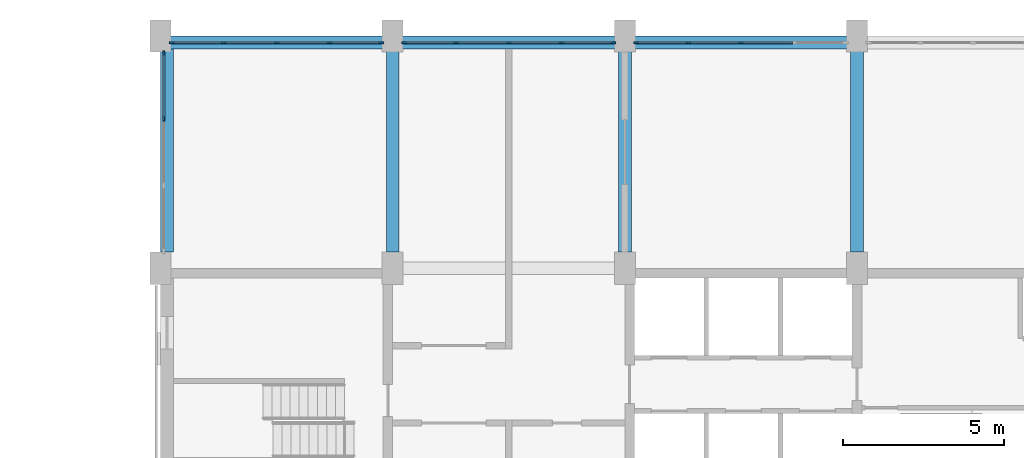
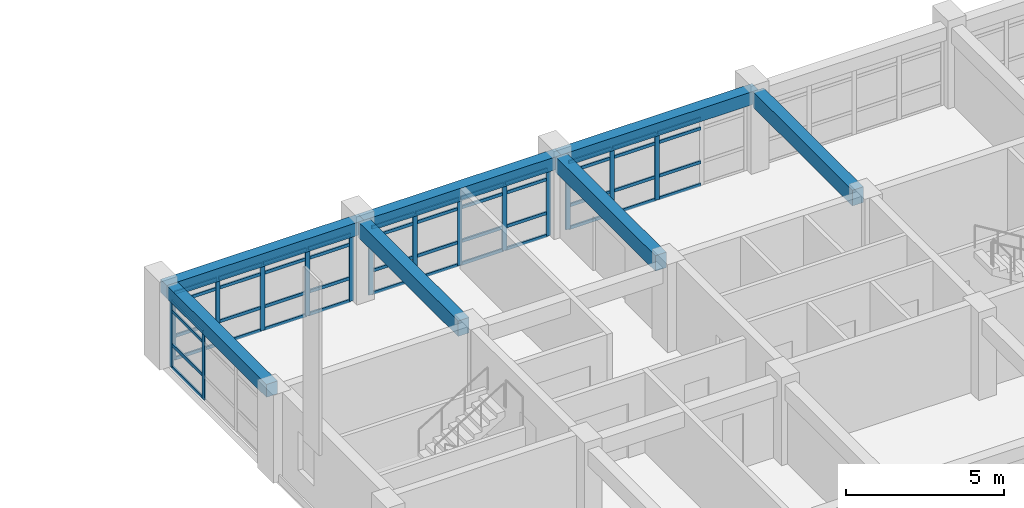
# One storey, part 12 of 31: 63 members, 7 beams, 4 elements without a shape of their own.
"""IFC4 building model written with IfcOpenShell, lengths in metres."""

from ifc_helpers import new_model, si_unit, direction, frame, origin, origin_2d, place, context, subcontext, project, spatial, rectangle, extrude, material, material_profile, profile_set, type_object, element, aggregate, save


model = new_model("IFC4")

# Units and contexts
model_context = context("Model", 3, precision=1e-05, world=origin(), true_north=direction((0.0, 1.0)))
body_context = subcontext(model_context, "Body", "Model", "MODEL_VIEW")
ifc_project = project(units=[si_unit("LENGTHUNIT", "METRE"), si_unit("AREAUNIT", "SQUARE_METRE"), si_unit("VOLUMEUNIT", "CUBIC_METRE"), si_unit("PLANEANGLEUNIT", "RADIAN"), si_unit("MASSUNIT", "GRAM", prefix="KILO")], contexts=[model_context])

# Site, building, storey
site_placement = place(None, origin())
site = spatial("IfcSite", under=ifc_project, at=site_placement, CompositionType="ELEMENT")
building_placement = place(site_placement, origin())
building = spatial("IfcBuilding", under=site, at=building_placement, Name="Vermilion Court Aquatics Centre", CompositionType="ELEMENT")
storey_placement = place(building_placement, frame((0.0, 0.0, 16.5)))
storey = spatial("IfcBuildingStorey", under=building, at=storey_placement, Name="L03", CompositionType="ELEMENT", Elevation=16.5)

# Curtain wall, members
ifc_material_1 = material(Name="Aluminium 6063-T5", Category="aluminium")
curtain_wall_type = type_object("IfcCurtainWallType", Name="North block glazed bay curtain wall 1800 module", PredefinedType="NOTDEFINED", material=ifc_material_1)
curtain_wall_1_placement = place(storey_placement, origin())
curtain_wall_1 = element("IfcCurtainWall", 1, at=curtain_wall_1_placement, inside=storey, type_object=curtain_wall_type, Name="North glazed bay 1 L03", PredefinedType="NOTDEFINED")
ifc_material_2 = material(Name="Aluminium 6063-T5", Category="aluminium")
ifc_material_profile_1 = material_profile(ifc_material_2, rectangle(XDim=0.06005859375, YDim=0.159912109375, at=origin_2d()), Name="AL 60x160")
ifc_profile_set_1 = profile_set([ifc_material_profile_1], Name="Aluminium 6063-T5")
member_type_1 = type_object("IfcMemberType", Name="North block curtain wall mullion 60x160", PredefinedType="MULLION", material=ifc_profile_set_1)
member_1_placement = place(storey_placement, frame((144.35498046875, 115.0, 0.0), z_axis=(0.0, 0.0, 1.0), x_axis=(0.0, 1.0, 0.0)))
member_1 = element("IfcMember", 2, at=member_1_placement, type_object=member_type_1, Name="UCW1 mullion 1", PredefinedType="MULLION", context=body_context, shape_type="SweptSolid", body=[
    extrude(rectangle(XDim=0.06005859375, YDim=0.159912109375, at=origin_2d()), origin(), (0.0, 0.0, 1.0), 2.60009765625),
])
member_2_placement = place(storey_placement, frame((145.96240234375, 115.0, 0.0), z_axis=(0.0, 0.0, 1.0), x_axis=(0.0, 1.0, 0.0)))
member_2 = element("IfcMember", 3, at=member_2_placement, type_object=member_type_1, Name="UCW1 mullion 2", PredefinedType="MULLION", context=body_context, shape_type="SweptSolid", body=[
    extrude(rectangle(XDim=0.06005859375, YDim=0.159912109375, at=origin_2d()), origin(), (0.0, 0.0, 1.0), 2.60009765625),
])
member_3_placement = place(storey_placement, frame((147.60009765625, 115.0, 0.0), z_axis=(0.0, 0.0, 1.0), x_axis=(0.0, 1.0, 0.0)))
member_3 = element("IfcMember", 4, at=member_3_placement, type_object=member_type_1, Name="UCW1 mullion 3", PredefinedType="MULLION", context=body_context, shape_type="SweptSolid", body=[
    extrude(rectangle(XDim=0.06005859375, YDim=0.159912109375, at=origin_2d()), origin(), (0.0, 0.0, 1.0), 2.60009765625),
])
member_4_placement = place(storey_placement, frame((149.237548828125, 115.0, 0.0), z_axis=(0.0, 0.0, 1.0), x_axis=(0.0, 1.0, 0.0)))
member_4 = element("IfcMember", 5, at=member_4_placement, type_object=member_type_1, Name="UCW1 mullion 4", PredefinedType="MULLION", context=body_context, shape_type="SweptSolid", body=[
    extrude(rectangle(XDim=0.06005859375, YDim=0.159912109375, at=origin_2d()), origin(), (0.0, 0.0, 1.0), 2.60009765625),
])
member_5_placement = place(storey_placement, frame((150.844970703125, 115.0, 0.0), z_axis=(0.0, 0.0, 1.0), x_axis=(0.0, 1.0, 0.0)))
member_5 = element("IfcMember", 6, at=member_5_placement, type_object=member_type_1, Name="UCW1 mullion 5", PredefinedType="MULLION", context=body_context, shape_type="SweptSolid", body=[
    extrude(rectangle(XDim=0.06005859375, YDim=0.159912109375, at=origin_2d()), origin(), (0.0, 0.0, 1.0), 2.60009765625),
])

curtain_wall_2_placement = place(storey_placement, origin())
curtain_wall_2 = element("IfcCurtainWall", 7, at=curtain_wall_2_placement, inside=storey, type_object=curtain_wall_type, Name="North glazed bay 2 L03", PredefinedType="NOTDEFINED")
member_6_placement = place(storey_placement, frame((151.554931640625, 115.0, 0.0), z_axis=(0.0, 0.0, 1.0), x_axis=(0.0, 1.0, 0.0)))
member_6 = element("IfcMember", 8, at=member_6_placement, type_object=member_type_1, Name="UCW1 mullion 1", PredefinedType="MULLION", context=body_context, shape_type="SweptSolid", body=[
    extrude(rectangle(XDim=0.06005859375, YDim=0.159912109375, at=origin_2d()), origin(), (0.0, 0.0, 1.0), 2.60009765625),
])
member_7_placement = place(storey_placement, frame((153.16259765625, 115.0, 0.0), z_axis=(0.0, 0.0, 1.0), x_axis=(0.0, 1.0, 0.0)))
member_7 = element("IfcMember", 9, at=member_7_placement, type_object=member_type_1, Name="UCW1 mullion 2", PredefinedType="MULLION", context=body_context, shape_type="SweptSolid", body=[
    extrude(rectangle(XDim=0.06005859375, YDim=0.159912109375, at=origin_2d()), origin(), (0.0, 0.0, 1.0), 2.60009765625),
])
member_8_placement = place(storey_placement, frame((154.800048828125, 115.0, 0.0), z_axis=(0.0, 0.0, 1.0), x_axis=(0.0, 1.0, 0.0)))
member_8 = element("IfcMember", 10, at=member_8_placement, type_object=member_type_1, Name="UCW1 mullion 3", PredefinedType="MULLION", context=body_context, shape_type="SweptSolid", body=[
    extrude(rectangle(XDim=0.06005859375, YDim=0.159912109375, at=origin_2d()), origin(), (0.0, 0.0, 1.0), 2.60009765625),
])
member_9_placement = place(storey_placement, frame((156.4375, 115.0, 0.0), z_axis=(0.0, 0.0, 1.0), x_axis=(0.0, 1.0, 0.0)))
member_9 = element("IfcMember", 11, at=member_9_placement, type_object=member_type_1, Name="UCW1 mullion 4", PredefinedType="MULLION", context=body_context, shape_type="SweptSolid", body=[
    extrude(rectangle(XDim=0.06005859375, YDim=0.159912109375, at=origin_2d()), origin(), (0.0, 0.0, 1.0), 2.60009765625),
])
member_10_placement = place(storey_placement, frame((158.044921875, 115.0, 0.0), z_axis=(0.0, 0.0, 1.0), x_axis=(0.0, 1.0, 0.0)))
member_10 = element("IfcMember", 12, at=member_10_placement, type_object=member_type_1, Name="UCW1 mullion 5", PredefinedType="MULLION", context=body_context, shape_type="SweptSolid", body=[
    extrude(rectangle(XDim=0.06005859375, YDim=0.159912109375, at=origin_2d()), origin(), (0.0, 0.0, 1.0), 2.60009765625),
])

curtain_wall_3_placement = place(storey_placement, origin())
curtain_wall_3 = element("IfcCurtainWall", 13, at=curtain_wall_3_placement, inside=storey, type_object=curtain_wall_type, Name="North glazed bay 3 L03", PredefinedType="NOTDEFINED")
member_11_placement = place(storey_placement, frame((158.7548828125, 115.0, 0.0), z_axis=(0.0, 0.0, 1.0), x_axis=(0.0, 1.0, 0.0)))
member_11 = element("IfcMember", 14, at=member_11_placement, type_object=member_type_1, Name="UCW1 mullion 1", PredefinedType="MULLION", context=body_context, shape_type="SweptSolid", body=[
    extrude(rectangle(XDim=0.06005859375, YDim=0.159912109375, at=origin_2d()), origin(), (0.0, 0.0, 1.0), 2.60009765625),
])
member_12_placement = place(storey_placement, frame((160.362548828125, 115.0, 0.0), z_axis=(0.0, 0.0, 1.0), x_axis=(0.0, 1.0, 0.0)))
member_12 = element("IfcMember", 15, at=member_12_placement, type_object=member_type_1, Name="UCW1 mullion 2", PredefinedType="MULLION", context=body_context, shape_type="SweptSolid", body=[
    extrude(rectangle(XDim=0.06005859375, YDim=0.159912109375, at=origin_2d()), origin(), (0.0, 0.0, 1.0), 2.60009765625),
])
member_13_placement = place(storey_placement, frame((162.0, 115.0, 0.0), z_axis=(0.0, 0.0, 1.0), x_axis=(0.0, 1.0, 0.0)))
member_13 = element("IfcMember", 16, at=member_13_placement, type_object=member_type_1, Name="UCW1 mullion 3", PredefinedType="MULLION", context=body_context, shape_type="SweptSolid", body=[
    extrude(rectangle(XDim=0.06005859375, YDim=0.159912109375, at=origin_2d()), origin(), (0.0, 0.0, 1.0), 2.60009765625),
])

curtain_wall_4_placement = place(storey_placement, origin())
curtain_wall_4 = element("IfcCurtainWall", 17, at=curtain_wall_4_placement, inside=storey, type_object=curtain_wall_type, Name="West glazed bay 2 L03", PredefinedType="NOTDEFINED")
member_14_placement = place(storey_placement, frame((144.10009765625, 112.63330078125, 0.0), z_axis=(0.0, 0.0, 1.0), x_axis=(-1.0, 0.0, 0.0)))
member_14 = element("IfcMember", 18, at=member_14_placement, type_object=member_type_1, Name="UCW1 mullion 3", PredefinedType="MULLION", context=body_context, shape_type="SweptSolid", body=[
    extrude(rectangle(XDim=0.06005859375, YDim=0.159912109375, at=origin_2d()), origin(), (0.0, 0.0, 1.0), 2.60009765625),
])
member_15_placement = place(storey_placement, frame((144.10009765625, 114.669921875, 0.0), z_axis=(0.0, 0.0, 1.0), x_axis=(-1.0, 0.0, 0.0)))
member_15 = element("IfcMember", 19, at=member_15_placement, type_object=member_type_1, Name="UCW1 mullion 4", PredefinedType="MULLION", context=body_context, shape_type="SweptSolid", body=[
    extrude(rectangle(XDim=0.06005859375, YDim=0.159912109375, at=origin_2d()), origin(), (0.0, 0.0, 1.0), 2.60009765625),
])

# Member
ifc_material_3 = material(Name="Aluminium 6063-T5", Category="aluminium")
ifc_material_profile_2 = material_profile(ifc_material_3, rectangle(XDim=0.06005859375, YDim=0.1201171875, at=origin_2d()), Name="AL 60x120")
ifc_profile_set_2 = profile_set([ifc_material_profile_2], Name="Aluminium 6063-T5")
member_type_2 = type_object("IfcMemberType", Name="North block curtain wall transom 60x120", PredefinedType="USERDEFINED", material=ifc_profile_set_2)
member_16_placement = place(storey_placement, frame((144.385009765625, 115.0, 0.030029296875), z_axis=(1.0, 0.0, 0.0), x_axis=(0.0, 1.0, 0.0)))
member_16 = element("IfcMember", 20, at=member_16_placement, type_object=member_type_2, Name="UCW1 transom 1.1", ObjectType="TRANSOM", PredefinedType="USERDEFINED", context=body_context, shape_type="SweptSolid", body=[
    extrude(rectangle(XDim=0.06005859375, YDim=0.1201171875, at=origin_2d()), origin(), (0.0, 0.0, 1.0), 1.547607421875),
])

member_17_placement = place(storey_placement, frame((144.385009765625, 115.0, 0.89990234375), z_axis=(1.0, 0.0, 0.0), x_axis=(0.0, 1.0, 0.0)))
member_17 = element("IfcMember", 21, at=member_17_placement, type_object=member_type_2, Name="UCW1 transom 1.2", ObjectType="TRANSOM", PredefinedType="USERDEFINED", context=body_context, shape_type="SweptSolid", body=[
    extrude(rectangle(XDim=0.06005859375, YDim=0.1201171875, at=origin_2d()), origin(), (0.0, 0.0, 1.0), 1.547607421875),
])

member_18_placement = place(storey_placement, frame((144.385009765625, 115.0, 2.199951171875), z_axis=(1.0, 0.0, 0.0), x_axis=(0.0, 1.0, 0.0)))
member_18 = element("IfcMember", 22, at=member_18_placement, type_object=member_type_2, Name="UCW1 transom 1.3", ObjectType="TRANSOM", PredefinedType="USERDEFINED", context=body_context, shape_type="SweptSolid", body=[
    extrude(rectangle(XDim=0.06005859375, YDim=0.1201171875, at=origin_2d()), origin(), (0.0, 0.0, 1.0), 1.547607421875),
])

member_19_placement = place(storey_placement, frame((144.385009765625, 115.0, 2.570068359375), z_axis=(1.0, 0.0, 0.0), x_axis=(0.0, 1.0, 0.0)))
member_19 = element("IfcMember", 23, at=member_19_placement, type_object=member_type_2, Name="UCW1 transom 1.4", ObjectType="TRANSOM", PredefinedType="USERDEFINED", context=body_context, shape_type="SweptSolid", body=[
    extrude(rectangle(XDim=0.06005859375, YDim=0.1201171875, at=origin_2d()), origin(), (0.0, 0.0, 1.0), 1.547607421875),
])

member_20_placement = place(storey_placement, frame((145.992431640625, 115.0, 0.030029296875), z_axis=(1.0, 0.0, 0.0), x_axis=(0.0, 1.0, 0.0)))
member_20 = element("IfcMember", 24, at=member_20_placement, type_object=member_type_2, Name="UCW1 transom 2.1", ObjectType="TRANSOM", PredefinedType="USERDEFINED", context=body_context, shape_type="SweptSolid", body=[
    extrude(rectangle(XDim=0.06005859375, YDim=0.1201171875, at=origin_2d()), origin(), (0.0, 0.0, 1.0), 1.57763671875),
])

member_21_placement = place(storey_placement, frame((145.992431640625, 115.0, 0.89990234375), z_axis=(1.0, 0.0, 0.0), x_axis=(0.0, 1.0, 0.0)))
member_21 = element("IfcMember", 25, at=member_21_placement, type_object=member_type_2, Name="UCW1 transom 2.2", ObjectType="TRANSOM", PredefinedType="USERDEFINED", context=body_context, shape_type="SweptSolid", body=[
    extrude(rectangle(XDim=0.06005859375, YDim=0.1201171875, at=origin_2d()), origin(), (0.0, 0.0, 1.0), 1.57763671875),
])

member_22_placement = place(storey_placement, frame((145.992431640625, 115.0, 2.199951171875), z_axis=(1.0, 0.0, 0.0), x_axis=(0.0, 1.0, 0.0)))
member_22 = element("IfcMember", 26, at=member_22_placement, type_object=member_type_2, Name="UCW1 transom 2.3", ObjectType="TRANSOM", PredefinedType="USERDEFINED", context=body_context, shape_type="SweptSolid", body=[
    extrude(rectangle(XDim=0.06005859375, YDim=0.1201171875, at=origin_2d()), origin(), (0.0, 0.0, 1.0), 1.57763671875),
])

member_23_placement = place(storey_placement, frame((145.992431640625, 115.0, 2.570068359375), z_axis=(1.0, 0.0, 0.0), x_axis=(0.0, 1.0, 0.0)))
member_23 = element("IfcMember", 27, at=member_23_placement, type_object=member_type_2, Name="UCW1 transom 2.4", ObjectType="TRANSOM", PredefinedType="USERDEFINED", context=body_context, shape_type="SweptSolid", body=[
    extrude(rectangle(XDim=0.06005859375, YDim=0.1201171875, at=origin_2d()), origin(), (0.0, 0.0, 1.0), 1.57763671875),
])

member_24_placement = place(storey_placement, frame((147.6298828125, 115.0, 0.030029296875), z_axis=(1.0, 0.0, 0.0), x_axis=(0.0, 1.0, 0.0)))
member_24 = element("IfcMember", 28, at=member_24_placement, type_object=member_type_2, Name="UCW1 transom 3.1", ObjectType="TRANSOM", PredefinedType="USERDEFINED", context=body_context, shape_type="SweptSolid", body=[
    extrude(rectangle(XDim=0.06005859375, YDim=0.1201171875, at=origin_2d()), origin(), (0.0, 0.0, 1.0), 1.57763671875),
])

member_25_placement = place(storey_placement, frame((147.6298828125, 115.0, 0.89990234375), z_axis=(1.0, 0.0, 0.0), x_axis=(0.0, 1.0, 0.0)))
member_25 = element("IfcMember", 29, at=member_25_placement, type_object=member_type_2, Name="UCW1 transom 3.2", ObjectType="TRANSOM", PredefinedType="USERDEFINED", context=body_context, shape_type="SweptSolid", body=[
    extrude(rectangle(XDim=0.06005859375, YDim=0.1201171875, at=origin_2d()), origin(), (0.0, 0.0, 1.0), 1.57763671875),
])

member_26_placement = place(storey_placement, frame((147.6298828125, 115.0, 2.199951171875), z_axis=(1.0, 0.0, 0.0), x_axis=(0.0, 1.0, 0.0)))
member_26 = element("IfcMember", 30, at=member_26_placement, type_object=member_type_2, Name="UCW1 transom 3.3", ObjectType="TRANSOM", PredefinedType="USERDEFINED", context=body_context, shape_type="SweptSolid", body=[
    extrude(rectangle(XDim=0.06005859375, YDim=0.1201171875, at=origin_2d()), origin(), (0.0, 0.0, 1.0), 1.57763671875),
])

member_27_placement = place(storey_placement, frame((147.6298828125, 115.0, 2.570068359375), z_axis=(1.0, 0.0, 0.0), x_axis=(0.0, 1.0, 0.0)))
member_27 = element("IfcMember", 31, at=member_27_placement, type_object=member_type_2, Name="UCW1 transom 3.4", ObjectType="TRANSOM", PredefinedType="USERDEFINED", context=body_context, shape_type="SweptSolid", body=[
    extrude(rectangle(XDim=0.06005859375, YDim=0.1201171875, at=origin_2d()), origin(), (0.0, 0.0, 1.0), 1.57763671875),
])

member_28_placement = place(storey_placement, frame((149.267578125, 115.0, 0.030029296875), z_axis=(1.0, 0.0, 0.0), x_axis=(0.0, 1.0, 0.0)))
member_28 = element("IfcMember", 32, at=member_28_placement, type_object=member_type_2, Name="UCW1 transom 4.1", ObjectType="TRANSOM", PredefinedType="USERDEFINED", context=body_context, shape_type="SweptSolid", body=[
    extrude(rectangle(XDim=0.06005859375, YDim=0.1201171875, at=origin_2d()), origin(), (0.0, 0.0, 1.0), 1.54736328125),
])

member_29_placement = place(storey_placement, frame((149.267578125, 115.0, 0.89990234375), z_axis=(1.0, 0.0, 0.0), x_axis=(0.0, 1.0, 0.0)))
member_29 = element("IfcMember", 33, at=member_29_placement, type_object=member_type_2, Name="UCW1 transom 4.2", ObjectType="TRANSOM", PredefinedType="USERDEFINED", context=body_context, shape_type="SweptSolid", body=[
    extrude(rectangle(XDim=0.06005859375, YDim=0.1201171875, at=origin_2d()), origin(), (0.0, 0.0, 1.0), 1.54736328125),
])

member_30_placement = place(storey_placement, frame((149.267578125, 115.0, 2.199951171875), z_axis=(1.0, 0.0, 0.0), x_axis=(0.0, 1.0, 0.0)))
member_30 = element("IfcMember", 34, at=member_30_placement, type_object=member_type_2, Name="UCW1 transom 4.3", ObjectType="TRANSOM", PredefinedType="USERDEFINED", context=body_context, shape_type="SweptSolid", body=[
    extrude(rectangle(XDim=0.06005859375, YDim=0.1201171875, at=origin_2d()), origin(), (0.0, 0.0, 1.0), 1.54736328125),
])

member_31_placement = place(storey_placement, frame((149.267578125, 115.0, 2.570068359375), z_axis=(1.0, 0.0, 0.0), x_axis=(0.0, 1.0, 0.0)))
member_31 = element("IfcMember", 35, at=member_31_placement, type_object=member_type_2, Name="UCW1 transom 4.4", ObjectType="TRANSOM", PredefinedType="USERDEFINED", context=body_context, shape_type="SweptSolid", body=[
    extrude(rectangle(XDim=0.06005859375, YDim=0.1201171875, at=origin_2d()), origin(), (0.0, 0.0, 1.0), 1.54736328125),
])

aggregate(curtain_wall_1, [member_1, member_2, member_3, member_4, member_5, member_16, member_17, member_18, member_19, member_20, member_21, member_22, member_23, member_24, member_25, member_26, member_27, member_28, member_29, member_30, member_31])

member_32_placement = place(storey_placement, frame((151.5849609375, 115.0, 0.030029296875), z_axis=(1.0, 0.0, 0.0), x_axis=(0.0, 1.0, 0.0)))
member_32 = element("IfcMember", 36, at=member_32_placement, type_object=member_type_2, Name="UCW1 transom 1.1", ObjectType="TRANSOM", PredefinedType="USERDEFINED", context=body_context, shape_type="SweptSolid", body=[
    extrude(rectangle(XDim=0.06005859375, YDim=0.1201171875, at=origin_2d()), origin(), (0.0, 0.0, 1.0), 1.547607421875),
])

member_33_placement = place(storey_placement, frame((151.5849609375, 115.0, 0.89990234375), z_axis=(1.0, 0.0, 0.0), x_axis=(0.0, 1.0, 0.0)))
member_33 = element("IfcMember", 37, at=member_33_placement, type_object=member_type_2, Name="UCW1 transom 1.2", ObjectType="TRANSOM", PredefinedType="USERDEFINED", context=body_context, shape_type="SweptSolid", body=[
    extrude(rectangle(XDim=0.06005859375, YDim=0.1201171875, at=origin_2d()), origin(), (0.0, 0.0, 1.0), 1.547607421875),
])

member_34_placement = place(storey_placement, frame((151.5849609375, 115.0, 2.199951171875), z_axis=(1.0, 0.0, 0.0), x_axis=(0.0, 1.0, 0.0)))
member_34 = element("IfcMember", 38, at=member_34_placement, type_object=member_type_2, Name="UCW1 transom 1.3", ObjectType="TRANSOM", PredefinedType="USERDEFINED", context=body_context, shape_type="SweptSolid", body=[
    extrude(rectangle(XDim=0.06005859375, YDim=0.1201171875, at=origin_2d()), origin(), (0.0, 0.0, 1.0), 1.547607421875),
])

member_35_placement = place(storey_placement, frame((151.5849609375, 115.0, 2.570068359375), z_axis=(1.0, 0.0, 0.0), x_axis=(0.0, 1.0, 0.0)))
member_35 = element("IfcMember", 39, at=member_35_placement, type_object=member_type_2, Name="UCW1 transom 1.4", ObjectType="TRANSOM", PredefinedType="USERDEFINED", context=body_context, shape_type="SweptSolid", body=[
    extrude(rectangle(XDim=0.06005859375, YDim=0.1201171875, at=origin_2d()), origin(), (0.0, 0.0, 1.0), 1.547607421875),
])

member_36_placement = place(storey_placement, frame((153.1923828125, 115.0, 0.030029296875), z_axis=(1.0, 0.0, 0.0), x_axis=(0.0, 1.0, 0.0)))
member_36 = element("IfcMember", 40, at=member_36_placement, type_object=member_type_2, Name="UCW1 transom 2.1", ObjectType="TRANSOM", PredefinedType="USERDEFINED", context=body_context, shape_type="SweptSolid", body=[
    extrude(rectangle(XDim=0.06005859375, YDim=0.1201171875, at=origin_2d()), origin(), (0.0, 0.0, 1.0), 1.57763671875),
])

member_37_placement = place(storey_placement, frame((153.1923828125, 115.0, 0.89990234375), z_axis=(1.0, 0.0, 0.0), x_axis=(0.0, 1.0, 0.0)))
member_37 = element("IfcMember", 41, at=member_37_placement, type_object=member_type_2, Name="UCW1 transom 2.2", ObjectType="TRANSOM", PredefinedType="USERDEFINED", context=body_context, shape_type="SweptSolid", body=[
    extrude(rectangle(XDim=0.06005859375, YDim=0.1201171875, at=origin_2d()), origin(), (0.0, 0.0, 1.0), 1.57763671875),
])

member_38_placement = place(storey_placement, frame((153.1923828125, 115.0, 2.199951171875), z_axis=(1.0, 0.0, 0.0), x_axis=(0.0, 1.0, 0.0)))
member_38 = element("IfcMember", 42, at=member_38_placement, type_object=member_type_2, Name="UCW1 transom 2.3", ObjectType="TRANSOM", PredefinedType="USERDEFINED", context=body_context, shape_type="SweptSolid", body=[
    extrude(rectangle(XDim=0.06005859375, YDim=0.1201171875, at=origin_2d()), origin(), (0.0, 0.0, 1.0), 1.57763671875),
])

member_39_placement = place(storey_placement, frame((153.1923828125, 115.0, 2.570068359375), z_axis=(1.0, 0.0, 0.0), x_axis=(0.0, 1.0, 0.0)))
member_39 = element("IfcMember", 43, at=member_39_placement, type_object=member_type_2, Name="UCW1 transom 2.4", ObjectType="TRANSOM", PredefinedType="USERDEFINED", context=body_context, shape_type="SweptSolid", body=[
    extrude(rectangle(XDim=0.06005859375, YDim=0.1201171875, at=origin_2d()), origin(), (0.0, 0.0, 1.0), 1.57763671875),
])

member_40_placement = place(storey_placement, frame((154.830078125, 115.0, 0.030029296875), z_axis=(1.0, 0.0, 0.0), x_axis=(0.0, 1.0, 0.0)))
member_40 = element("IfcMember", 44, at=member_40_placement, type_object=member_type_2, Name="UCW1 transom 3.1", ObjectType="TRANSOM", PredefinedType="USERDEFINED", context=body_context, shape_type="SweptSolid", body=[
    extrude(rectangle(XDim=0.06005859375, YDim=0.1201171875, at=origin_2d()), origin(), (0.0, 0.0, 1.0), 1.577392578125),
])

member_41_placement = place(storey_placement, frame((154.830078125, 115.0, 0.89990234375), z_axis=(1.0, 0.0, 0.0), x_axis=(0.0, 1.0, 0.0)))
member_41 = element("IfcMember", 45, at=member_41_placement, type_object=member_type_2, Name="UCW1 transom 3.2", ObjectType="TRANSOM", PredefinedType="USERDEFINED", context=body_context, shape_type="SweptSolid", body=[
    extrude(rectangle(XDim=0.06005859375, YDim=0.1201171875, at=origin_2d()), origin(), (0.0, 0.0, 1.0), 1.577392578125),
])

member_42_placement = place(storey_placement, frame((154.830078125, 115.0, 2.199951171875), z_axis=(1.0, 0.0, 0.0), x_axis=(0.0, 1.0, 0.0)))
member_42 = element("IfcMember", 46, at=member_42_placement, type_object=member_type_2, Name="UCW1 transom 3.3", ObjectType="TRANSOM", PredefinedType="USERDEFINED", context=body_context, shape_type="SweptSolid", body=[
    extrude(rectangle(XDim=0.06005859375, YDim=0.1201171875, at=origin_2d()), origin(), (0.0, 0.0, 1.0), 1.577392578125),
])

member_43_placement = place(storey_placement, frame((154.830078125, 115.0, 2.570068359375), z_axis=(1.0, 0.0, 0.0), x_axis=(0.0, 1.0, 0.0)))
member_43 = element("IfcMember", 47, at=member_43_placement, type_object=member_type_2, Name="UCW1 transom 3.4", ObjectType="TRANSOM", PredefinedType="USERDEFINED", context=body_context, shape_type="SweptSolid", body=[
    extrude(rectangle(XDim=0.06005859375, YDim=0.1201171875, at=origin_2d()), origin(), (0.0, 0.0, 1.0), 1.577392578125),
])

member_44_placement = place(storey_placement, frame((156.467529296875, 115.0, 0.030029296875), z_axis=(1.0, 0.0, 0.0), x_axis=(0.0, 1.0, 0.0)))
member_44 = element("IfcMember", 48, at=member_44_placement, type_object=member_type_2, Name="UCW1 transom 4.1", ObjectType="TRANSOM", PredefinedType="USERDEFINED", context=body_context, shape_type="SweptSolid", body=[
    extrude(rectangle(XDim=0.06005859375, YDim=0.1201171875, at=origin_2d()), origin(), (0.0, 0.0, 1.0), 1.54736328125),
])

member_45_placement = place(storey_placement, frame((156.467529296875, 115.0, 0.89990234375), z_axis=(1.0, 0.0, 0.0), x_axis=(0.0, 1.0, 0.0)))
member_45 = element("IfcMember", 49, at=member_45_placement, type_object=member_type_2, Name="UCW1 transom 4.2", ObjectType="TRANSOM", PredefinedType="USERDEFINED", context=body_context, shape_type="SweptSolid", body=[
    extrude(rectangle(XDim=0.06005859375, YDim=0.1201171875, at=origin_2d()), origin(), (0.0, 0.0, 1.0), 1.54736328125),
])

member_46_placement = place(storey_placement, frame((156.467529296875, 115.0, 2.199951171875), z_axis=(1.0, 0.0, 0.0), x_axis=(0.0, 1.0, 0.0)))
member_46 = element("IfcMember", 50, at=member_46_placement, type_object=member_type_2, Name="UCW1 transom 4.3", ObjectType="TRANSOM", PredefinedType="USERDEFINED", context=body_context, shape_type="SweptSolid", body=[
    extrude(rectangle(XDim=0.06005859375, YDim=0.1201171875, at=origin_2d()), origin(), (0.0, 0.0, 1.0), 1.54736328125),
])

member_47_placement = place(storey_placement, frame((156.467529296875, 115.0, 2.570068359375), z_axis=(1.0, 0.0, 0.0), x_axis=(0.0, 1.0, 0.0)))
member_47 = element("IfcMember", 51, at=member_47_placement, type_object=member_type_2, Name="UCW1 transom 4.4", ObjectType="TRANSOM", PredefinedType="USERDEFINED", context=body_context, shape_type="SweptSolid", body=[
    extrude(rectangle(XDim=0.06005859375, YDim=0.1201171875, at=origin_2d()), origin(), (0.0, 0.0, 1.0), 1.54736328125),
])

aggregate(curtain_wall_2, [member_6, member_7, member_8, member_9, member_10, member_32, member_33, member_34, member_35, member_36, member_37, member_38, member_39, member_40, member_41, member_42, member_43, member_44, member_45, member_46, member_47])

member_48_placement = place(storey_placement, frame((158.784912109375, 115.0, 0.030029296875), z_axis=(1.0, 0.0, 0.0), x_axis=(0.0, 1.0, 0.0)))
member_48 = element("IfcMember", 52, at=member_48_placement, type_object=member_type_2, Name="UCW1 transom 1.1", ObjectType="TRANSOM", PredefinedType="USERDEFINED", context=body_context, shape_type="SweptSolid", body=[
    extrude(rectangle(XDim=0.06005859375, YDim=0.1201171875, at=origin_2d()), origin(), (0.0, 0.0, 1.0), 1.547607421875),
])

member_49_placement = place(storey_placement, frame((158.784912109375, 115.0, 0.89990234375), z_axis=(1.0, 0.0, 0.0), x_axis=(0.0, 1.0, 0.0)))
member_49 = element("IfcMember", 53, at=member_49_placement, type_object=member_type_2, Name="UCW1 transom 1.2", ObjectType="TRANSOM", PredefinedType="USERDEFINED", context=body_context, shape_type="SweptSolid", body=[
    extrude(rectangle(XDim=0.06005859375, YDim=0.1201171875, at=origin_2d()), origin(), (0.0, 0.0, 1.0), 1.547607421875),
])

member_50_placement = place(storey_placement, frame((158.784912109375, 115.0, 2.199951171875), z_axis=(1.0, 0.0, 0.0), x_axis=(0.0, 1.0, 0.0)))
member_50 = element("IfcMember", 54, at=member_50_placement, type_object=member_type_2, Name="UCW1 transom 1.3", ObjectType="TRANSOM", PredefinedType="USERDEFINED", context=body_context, shape_type="SweptSolid", body=[
    extrude(rectangle(XDim=0.06005859375, YDim=0.1201171875, at=origin_2d()), origin(), (0.0, 0.0, 1.0), 1.547607421875),
])

member_51_placement = place(storey_placement, frame((158.784912109375, 115.0, 2.570068359375), z_axis=(1.0, 0.0, 0.0), x_axis=(0.0, 1.0, 0.0)))
member_51 = element("IfcMember", 55, at=member_51_placement, type_object=member_type_2, Name="UCW1 transom 1.4", ObjectType="TRANSOM", PredefinedType="USERDEFINED", context=body_context, shape_type="SweptSolid", body=[
    extrude(rectangle(XDim=0.06005859375, YDim=0.1201171875, at=origin_2d()), origin(), (0.0, 0.0, 1.0), 1.547607421875),
])

member_52_placement = place(storey_placement, frame((160.392578125, 115.0, 0.030029296875), z_axis=(1.0, 0.0, 0.0), x_axis=(0.0, 1.0, 0.0)))
member_52 = element("IfcMember", 56, at=member_52_placement, type_object=member_type_2, Name="UCW1 transom 2.1", ObjectType="TRANSOM", PredefinedType="USERDEFINED", context=body_context, shape_type="SweptSolid", body=[
    extrude(rectangle(XDim=0.06005859375, YDim=0.1201171875, at=origin_2d()), origin(), (0.0, 0.0, 1.0), 1.577392578125),
])

member_53_placement = place(storey_placement, frame((160.392578125, 115.0, 0.89990234375), z_axis=(1.0, 0.0, 0.0), x_axis=(0.0, 1.0, 0.0)))
member_53 = element("IfcMember", 57, at=member_53_placement, type_object=member_type_2, Name="UCW1 transom 2.2", ObjectType="TRANSOM", PredefinedType="USERDEFINED", context=body_context, shape_type="SweptSolid", body=[
    extrude(rectangle(XDim=0.06005859375, YDim=0.1201171875, at=origin_2d()), origin(), (0.0, 0.0, 1.0), 1.577392578125),
])

member_54_placement = place(storey_placement, frame((160.392578125, 115.0, 2.199951171875), z_axis=(1.0, 0.0, 0.0), x_axis=(0.0, 1.0, 0.0)))
member_54 = element("IfcMember", 58, at=member_54_placement, type_object=member_type_2, Name="UCW1 transom 2.3", ObjectType="TRANSOM", PredefinedType="USERDEFINED", context=body_context, shape_type="SweptSolid", body=[
    extrude(rectangle(XDim=0.06005859375, YDim=0.1201171875, at=origin_2d()), origin(), (0.0, 0.0, 1.0), 1.577392578125),
])

member_55_placement = place(storey_placement, frame((160.392578125, 115.0, 2.570068359375), z_axis=(1.0, 0.0, 0.0), x_axis=(0.0, 1.0, 0.0)))
member_55 = element("IfcMember", 59, at=member_55_placement, type_object=member_type_2, Name="UCW1 transom 2.4", ObjectType="TRANSOM", PredefinedType="USERDEFINED", context=body_context, shape_type="SweptSolid", body=[
    extrude(rectangle(XDim=0.06005859375, YDim=0.1201171875, at=origin_2d()), origin(), (0.0, 0.0, 1.0), 1.577392578125),
])

member_56_placement = place(storey_placement, frame((162.030029296875, 115.0, 0.030029296875), z_axis=(1.0, 0.0, 0.0), x_axis=(0.0, 1.0, 0.0)))
member_56 = element("IfcMember", 60, at=member_56_placement, type_object=member_type_2, Name="UCW1 transom 3.1", ObjectType="TRANSOM", PredefinedType="USERDEFINED", context=body_context, shape_type="SweptSolid", body=[
    extrude(rectangle(XDim=0.06005859375, YDim=0.1201171875, at=origin_2d()), origin(), (0.0, 0.0, 1.0), 1.577392578125),
])

member_57_placement = place(storey_placement, frame((162.030029296875, 115.0, 0.89990234375), z_axis=(1.0, 0.0, 0.0), x_axis=(0.0, 1.0, 0.0)))
member_57 = element("IfcMember", 61, at=member_57_placement, type_object=member_type_2, Name="UCW1 transom 3.2", ObjectType="TRANSOM", PredefinedType="USERDEFINED", context=body_context, shape_type="SweptSolid", body=[
    extrude(rectangle(XDim=0.06005859375, YDim=0.1201171875, at=origin_2d()), origin(), (0.0, 0.0, 1.0), 1.577392578125),
])

member_58_placement = place(storey_placement, frame((162.030029296875, 115.0, 2.199951171875), z_axis=(1.0, 0.0, 0.0), x_axis=(0.0, 1.0, 0.0)))
member_58 = element("IfcMember", 62, at=member_58_placement, type_object=member_type_2, Name="UCW1 transom 3.3", ObjectType="TRANSOM", PredefinedType="USERDEFINED", context=body_context, shape_type="SweptSolid", body=[
    extrude(rectangle(XDim=0.06005859375, YDim=0.1201171875, at=origin_2d()), origin(), (0.0, 0.0, 1.0), 1.577392578125),
])

member_59_placement = place(storey_placement, frame((162.030029296875, 115.0, 2.570068359375), z_axis=(1.0, 0.0, 0.0), x_axis=(0.0, 1.0, 0.0)))
member_59 = element("IfcMember", 63, at=member_59_placement, type_object=member_type_2, Name="UCW1 transom 3.4", ObjectType="TRANSOM", PredefinedType="USERDEFINED", context=body_context, shape_type="SweptSolid", body=[
    extrude(rectangle(XDim=0.06005859375, YDim=0.1201171875, at=origin_2d()), origin(), (0.0, 0.0, 1.0), 1.577392578125),
])

aggregate(curtain_wall_3, [member_11, member_12, member_13, member_48, member_49, member_50, member_51, member_52, member_53, member_54, member_55, member_56, member_57, member_58, member_59])

member_60_placement = place(storey_placement, frame((144.10009765625, 112.663330078125, 0.030029296875), z_axis=(0.0, 1.0, 0.0), x_axis=(-1.0, 0.0, 0.0)))
member_60 = element("IfcMember", 64, at=member_60_placement, type_object=member_type_2, Name="UCW1 transom 3.1", ObjectType="TRANSOM", PredefinedType="USERDEFINED", context=body_context, shape_type="SweptSolid", body=[
    extrude(rectangle(XDim=0.06005859375, YDim=0.1201171875, at=origin_2d()), origin(), (0.0, 0.0, 1.0), 1.9765625),
])

member_61_placement = place(storey_placement, frame((144.10009765625, 112.663330078125, 0.89990234375), z_axis=(0.0, 1.0, 0.0), x_axis=(-1.0, 0.0, 0.0)))
member_61 = element("IfcMember", 65, at=member_61_placement, type_object=member_type_2, Name="UCW1 transom 3.2", ObjectType="TRANSOM", PredefinedType="USERDEFINED", context=body_context, shape_type="SweptSolid", body=[
    extrude(rectangle(XDim=0.06005859375, YDim=0.1201171875, at=origin_2d()), origin(), (0.0, 0.0, 1.0), 1.9765625),
])

member_62_placement = place(storey_placement, frame((144.10009765625, 112.663330078125, 2.199951171875), z_axis=(0.0, 1.0, 0.0), x_axis=(-1.0, 0.0, 0.0)))
member_62 = element("IfcMember", 66, at=member_62_placement, type_object=member_type_2, Name="UCW1 transom 3.3", ObjectType="TRANSOM", PredefinedType="USERDEFINED", context=body_context, shape_type="SweptSolid", body=[
    extrude(rectangle(XDim=0.06005859375, YDim=0.1201171875, at=origin_2d()), origin(), (0.0, 0.0, 1.0), 1.9765625),
])

member_63_placement = place(storey_placement, frame((144.10009765625, 112.663330078125, 2.570068359375), z_axis=(0.0, 1.0, 0.0), x_axis=(-1.0, 0.0, 0.0)))
member_63 = element("IfcMember", 67, at=member_63_placement, type_object=member_type_2, Name="UCW1 transom 3.4", ObjectType="TRANSOM", PredefinedType="USERDEFINED", context=body_context, shape_type="SweptSolid", body=[
    extrude(rectangle(XDim=0.06005859375, YDim=0.1201171875, at=origin_2d()), origin(), (0.0, 0.0, 1.0), 1.9765625),
])

aggregate(curtain_wall_4, [member_14, member_15, member_60, member_61, member_62, member_63])

# Beams
ifc_material_4 = material(Name="Concrete 6000 psi", Category="concrete")
ifc_material_profile_3 = material_profile(ifc_material_4, rectangle(XDim=0.39990234375, YDim=0.60009765625, at=origin_2d()), Name="RC 400x600")
ifc_profile_set_3 = profile_set([ifc_material_profile_3], Name="Concrete 6000 psi")
beam_type_1 = type_object("IfcBeamType", Name="North block floor girder 400x600", PredefinedType="BEAM", material=ifc_profile_set_3)
for number, where, z_axis, x_axis, name in (
    (68, (151.199951171875, 108.5, 2.800048828125), (0.0, 1.0, 0.0), (-1.0, 0.0, 0.0), "Floor beam L04 y151.2"),
    (69, (158.39990234375, 108.5, 2.800048828125), (0.0, 1.0, 0.0), (-1.0, 0.0, 0.0), "Floor beam L04 y158.4"),
    (70, (165.60009765625, 108.5, 2.800048828125), (0.0, 1.0, 0.0), (-1.0, 0.0, 0.0), "Floor beam L04 y165.6"),
):
    element("IfcBeam", number, at=place(storey_placement, frame(where, z_axis=z_axis, x_axis=x_axis)), inside=storey, type_object=beam_type_1, Name=name, PredefinedType="BEAM", context=body_context, shape_type="SweptSolid", body=[
        extrude(rectangle(XDim=0.39990234375, YDim=0.60009765625, at=origin_2d()), origin(), (0.0, 0.0, 1.0), 6.300048828125),
    ])
ifc_material_5 = material(Name="Concrete 6000 psi", Category="concrete")
ifc_material_profile_4 = material_profile(ifc_material_5, rectangle(XDim=0.39990234375, YDim=0.5, at=origin_2d()), Name="RC 400x500")
ifc_profile_set_4 = profile_set([ifc_material_profile_4], Name="Concrete 6000 psi")
beam_type_2 = type_object("IfcBeamType", Name="North block spandrel beam 400x500", PredefinedType="BEAM", material=ifc_profile_set_4)
for number, where, z_axis, x_axis, name in (
    (71, (144.0, 115.0, 2.85009765625), (1.0, 0.0, 0.0), (0.0, 1.0, 0.0), "Spandrel beam L04 x115.2"),
    (72, (151.199951171875, 115.0, 2.85009765625), (1.0, 0.0, 0.0), (0.0, 1.0, 0.0), "Spandrel beam L04 x115.2"),
):
    element("IfcBeam", number, at=place(storey_placement, frame(where, z_axis=z_axis, x_axis=x_axis)), inside=storey, type_object=beam_type_2, Name=name, PredefinedType="BEAM", context=body_context, shape_type="SweptSolid", body=[
        extrude(rectangle(XDim=0.39990234375, YDim=0.5, at=origin_2d()), origin(), (0.0, 0.0, 1.0), 7.199951171875),
    ])
beam_1_placement = place(storey_placement, frame((158.39990234375, 115.0, 2.85009765625), z_axis=(1.0, 0.0, 0.0), x_axis=(0.0, 1.0, 0.0)))
element("IfcBeam", 73, at=beam_1_placement, inside=storey, type_object=beam_type_2, Name="Spandrel beam L04 x115.2", PredefinedType="BEAM", context=body_context, shape_type="SweptSolid", body=[
    extrude(rectangle(XDim=0.39990234375, YDim=0.5, at=origin_2d()), origin(), (0.0, 0.0, 1.0), 7.2001953125),
])
beam_2_placement = place(storey_placement, frame((144.199951171875, 108.5, 2.85009765625), z_axis=(0.0, 1.0, 0.0), x_axis=(-1.0, 0.0, 0.0)))
element("IfcBeam", 74, at=beam_2_placement, inside=storey, type_object=beam_type_2, Name="Spandrel beam L04 y144.2", PredefinedType="BEAM", context=body_context, shape_type="SweptSolid", body=[
    extrude(rectangle(XDim=0.39990234375, YDim=0.5, at=origin_2d()), origin(), (0.0, 0.0, 1.0), 6.300048828125),
])

save(model, "model.ifc")
